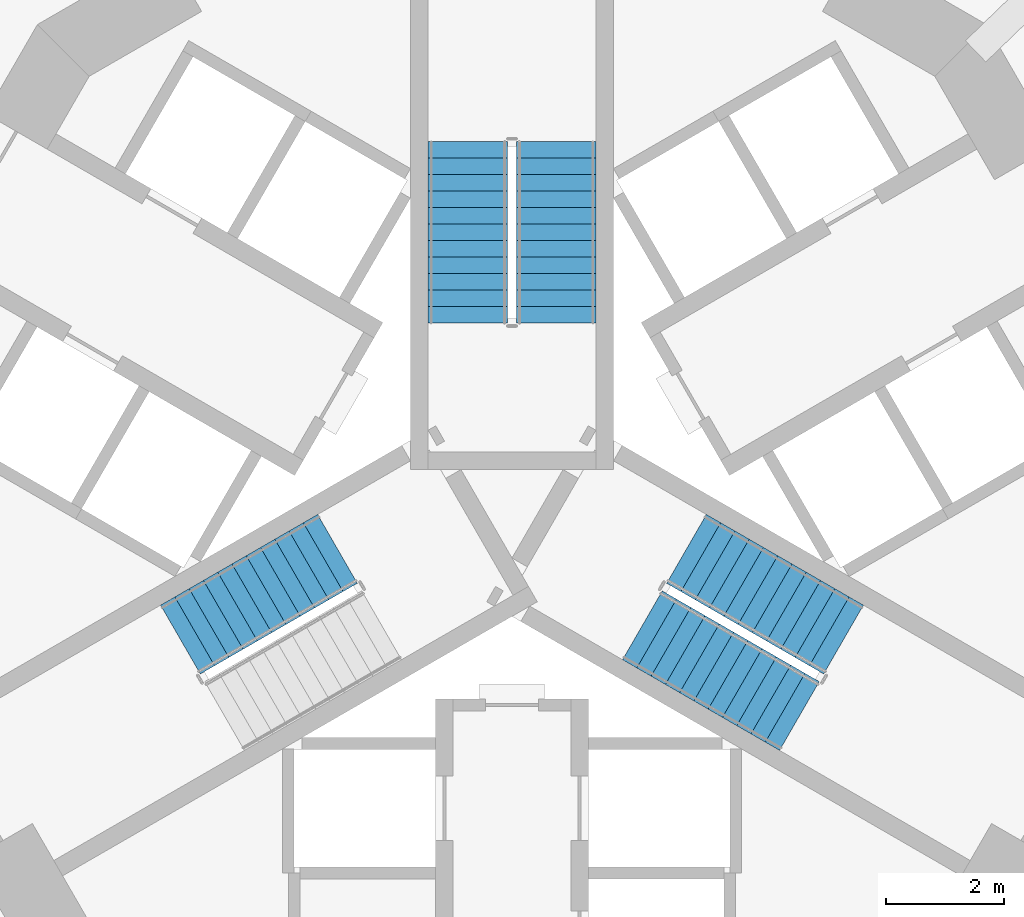
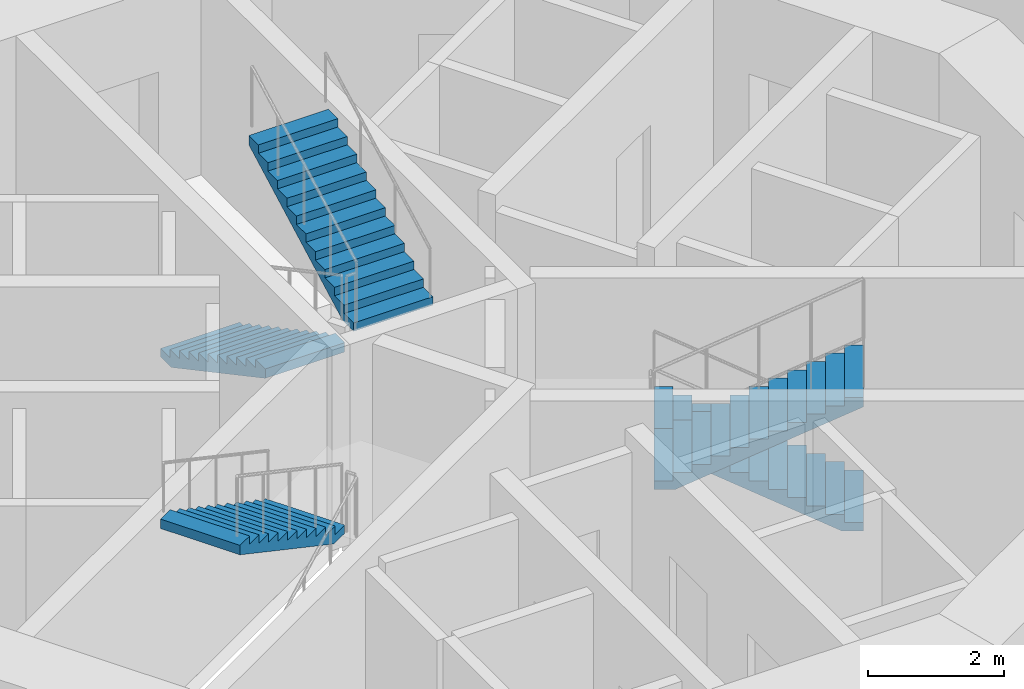
# One storey, part 11 of 19: 5 stair flights, 3 elements without a shape of their own.
"""IFC4 building model written with IfcOpenShell, lengths in metres."""

import ifcopenshell
import ifcopenshell.guid

model = None  # the IFC model being written
_history = None  # IfcOwnerHistory: only IFC2X3 demands one
_inside = {}  # id of a spatial element -> (the spatial element, [elements in it])
_under = {}  # id of a project, library or spatial element -> (it, [spatial elements below it])
_declared = {}  # id of a project -> (the project, [libraries it declares])
_typed = {}  # id of a type object -> (the type object, [elements of that type])
_made_of = {}  # id of a material, layer set ... -> (it, [elements and type objects made of it])


def new_model(schema):
    """Start an empty IFC model of exactly this schema.

    Asked for "IFC4X3", IfcOpenShell would pick the latest addendum, in which some entities
    have other attributes; the version numbers below select the first issue.
    IFC2X3 requires an IfcOwnerHistory on every rooted entity: one is made here for all.
    """
    global model, _history
    if schema == "IFC4X3":
        model = ifcopenshell.file(schema_version=(4, 3, 0, 0))
    else:
        model = ifcopenshell.file(schema=schema)
    _inside.clear()
    _under.clear()
    _declared.clear()
    _typed.clear()
    _made_of.clear()
    _history = None
    if model.schema == "IFC2X3":
        org = make("IfcOrganization", Name="unknown")
        user = make(
            "IfcPersonAndOrganization",
            ThePerson=make("IfcPerson", FamilyName="unknown"),
            TheOrganization=org,
        )
        app = make(
            "IfcApplication",
            ApplicationDeveloper=org,
            Version="unknown",
            ApplicationFullName="unknown",
            ApplicationIdentifier="unknown",
        )
        _history = make(
            "IfcOwnerHistory",
            OwningUser=user,
            OwningApplication=app,
            ChangeAction="ADDED",
            CreationDate=0,
        )
    return model


def make(cls, **values):
    """One entity of the class cls with the attributes given. An attribute that is None is left unset."""
    return model.create_entity(
        cls, **{name: value for name, value in values.items() if value is not None}
    )


def rooted(cls, **values):
    """An entity with a GlobalId (a new one), such as an element, a storey or a relation."""
    return make(cls, GlobalId=ifcopenshell.guid.new(), OwnerHistory=_history, **values)


def si_unit(unit_type, name, prefix=None):
    """IfcSIUnit, for example si_unit("LENGTHUNIT", "METRE", prefix="MILLI")."""
    return make("IfcSIUnit", UnitType=unit_type, Prefix=prefix, Name=name)


def assignment(units):
    """IfcUnitAssignment: the units of a project."""
    return None if units is None else make("IfcUnitAssignment", Units=units)


def point(xyz):
    """IfcCartesianPoint."""
    return None if xyz is None else make("IfcCartesianPoint", Coordinates=xyz)


def direction(xyz):
    """IfcDirection."""
    return None if xyz is None else make("IfcDirection", DirectionRatios=xyz)


def frame(location, z_axis=None, x_axis=None):
    """IfcAxis2Placement3D, a coordinate frame: its origin and axes. An axis left out is left unset."""
    return make(
        "IfcAxis2Placement3D",
        Location=point(location),
        Axis=direction(z_axis),
        RefDirection=direction(x_axis),
    )


def origin():
    """The frame at (0, 0, 0) with its axes left unset."""
    return frame((0.0, 0.0, 0.0))


def place(relative_to, where):
    """IfcLocalPlacement: puts the frame where relative to a parent placement (None: the world)."""
    return make(
        "IfcLocalPlacement", PlacementRelTo=relative_to, RelativePlacement=where
    )


def context(
    kind, dimensions, precision=None, world=None, true_north=None, identifier=None
):
    """IfcGeometricRepresentationContext, for example the 3D "Model" context."""
    return make(
        "IfcGeometricRepresentationContext",
        ContextIdentifier=identifier,
        ContextType=kind,
        CoordinateSpaceDimension=dimensions,
        Precision=precision,
        WorldCoordinateSystem=world,
        TrueNorth=true_north,
    )


def subcontext(parent, identifier, kind, view, scale=None):
    """IfcGeometricRepresentationSubContext, for example "Body" below "Model"."""
    return make(
        "IfcGeometricRepresentationSubContext",
        ContextIdentifier=identifier,
        ContextType=kind,
        ParentContext=parent,
        TargetScale=scale,
        TargetView=view,
    )


def project(units=None, contexts=None):
    """IfcProject with its units and contexts."""
    return rooted(
        "IfcProject",
        Name="project",
        RepresentationContexts=contexts,
        UnitsInContext=assignment(units),
    )


def spatial(cls, under=None, at=None, **own):
    """A site, building, storey or space (cls), placed at a placement, below another one or the project."""
    s = rooted(cls, ObjectPlacement=at, **own)
    if under is not None:
        _under.setdefault(under.id(), (under, []))[1].append(s)
    return s


def polyline(points):
    """IfcPolyline through the points."""
    return make("IfcPolyline", Points=[point(p) for p in points])


def outline(outer, holes=None, kind="AREA"):
    """IfcArbitraryClosedProfileDef: a profile drawn as a closed curve; with holes, ...WithVoids."""
    if holes is None:
        return make("IfcArbitraryClosedProfileDef", ProfileType=kind, OuterCurve=outer)
    return make(
        "IfcArbitraryProfileDefWithVoids",
        ProfileType=kind,
        OuterCurve=outer,
        InnerCurves=holes,
    )


def extrude(swept, where, along, depth):
    """IfcExtrudedAreaSolid: the profile swept, set in the frame where, extruded along a direction by depth."""
    return make(
        "IfcExtrudedAreaSolid",
        SweptArea=swept,
        Position=where,
        ExtrudedDirection=direction(along),
        Depth=depth,
    )


def shape(context_of_items, identifier, shape_type, items):
    """IfcShapeRepresentation: the items that make up one representation, for example the "Body"."""
    return make(
        "IfcShapeRepresentation",
        ContextOfItems=context_of_items,
        RepresentationIdentifier=identifier,
        RepresentationType=shape_type,
        Items=items,
    )


def material(Name=None, Category=None):
    """IfcMaterial."""
    return make("IfcMaterial", Name=Name, Category=Category)


def made_of(thing, what):
    """Note that an element or type object is made of a material, layer set ...; save() writes the relation."""
    if what is not None:
        _made_of.setdefault(what.id(), (what, []))[1].append(thing)
    return thing


def type_object(cls, material=None, **own):
    """A type object (cls), such as IfcWallType, which elements share."""
    return made_of(rooted(cls, **own), material)


def element(
    cls,
    number,
    at=None,
    inside=None,
    cuts=None,
    type_object=None,
    material=None,
    context=None,
    identifier="Body",
    shape_type=None,
    held_by="IfcProductDefinitionShape",
    body=None,
    shapes=None,
    **own,
):
    """One element of the class cls, such as IfcWall. Its Tag is "e" and its number.

    at: its placement. inside: the storey or other place that contains it. cuts: it is an
    opening in that element (IfcRelVoidsElement). A single representation is given by context,
    identifier, shape_type and body (its items); several are given by shapes. held_by: the class
    of the entity that holds the representations. save() writes the other relations.
    """
    e = rooted(cls, Tag="e%d" % number, ObjectPlacement=at, **own)
    if body is not None:
        shapes = [shape(context, identifier, shape_type, body)]
    if shapes is not None:
        e.Representation = make(held_by, Representations=shapes)
    if inside is not None:
        _inside.setdefault(inside.id(), (inside, []))[1].append(e)
    if cuts is not None:
        rooted(
            "IfcRelVoidsElement", RelatingBuildingElement=cuts, RelatedOpeningElement=e
        )
    if type_object is not None:
        _typed.setdefault(type_object.id(), (type_object, []))[1].append(e)
    return made_of(e, material)


def aggregate(whole, parts):
    """IfcRelAggregates: a whole, such as a stair, and the parts it consists of."""
    return rooted("IfcRelAggregates", RelatingObject=whole, RelatedObjects=parts)


def save(model, path):
    """Write the relations noted so far, then the file.

    IfcRelAggregates (storeys below a building ...), IfcRelContainedInSpatialStructure (elements
    in a storey), IfcRelDefinesByType, IfcRelAssociatesMaterial and IfcRelDeclares: one each for
    every whole, place, type object, material and project.
    """
    for whole, parts in _under.values():
        aggregate(whole, parts)
    for where, things in _inside.values():
        rooted(
            "IfcRelContainedInSpatialStructure",
            RelatedElements=things,
            RelatingStructure=where,
        )
    for kind, things in _typed.values():
        rooted("IfcRelDefinesByType", RelatedObjects=things, RelatingType=kind)
    for what, things in _made_of.values():
        rooted("IfcRelAssociatesMaterial", RelatedObjects=things, RelatingMaterial=what)
    for by, libraries in _declared.values():
        rooted("IfcRelDeclares", RelatingContext=by, RelatedDefinitions=libraries)
    model.write(path)


model = new_model("IFC4")

# Units and contexts
model_context = context("Model", 3, precision=1e-05, world=origin(), true_north=direction((0.0, 1.0)))
body_context = subcontext(model_context, "Body", "Model", "MODEL_VIEW")
ifc_project = project(units=[si_unit("LENGTHUNIT", "METRE"), si_unit("AREAUNIT", "SQUARE_METRE"), si_unit("VOLUMEUNIT", "CUBIC_METRE"), si_unit("PLANEANGLEUNIT", "RADIAN"), si_unit("MASSUNIT", "GRAM", prefix="KILO")], contexts=[model_context])

# Site, building, storey
site_placement = place(None, origin())
site = spatial("IfcSite", under=ifc_project, at=site_placement, CompositionType="ELEMENT")
building_placement = place(site_placement, origin())
building = spatial("IfcBuilding", under=site, at=building_placement, Name="Trine Commons Tower", CompositionType="ELEMENT")
storey_placement = place(building_placement, frame((0.0, 0.0, 105.300048828125)))
storey = spatial("IfcBuildingStorey", under=building, at=storey_placement, Name="L26", CompositionType="ELEMENT", Elevation=105.300048828125)

# Stair, stair flights
ifc_material = material(Name="Concrete C50/60", Category="concrete")
stair_type = type_object("IfcStairType", Name="Exit stair, dog-leg, 24 risers of 150 mm", PredefinedType="HALF_TURN_STAIR", material=ifc_material)
stair_1_placement = place(storey_placement, origin())
stair_1 = element("IfcStair", 1, at=stair_1_placement, inside=storey, type_object=stair_type, Name="L26 Exit stair ST1A", PredefinedType="HALF_TURN_STAIR")
stair_flight_type = type_object("IfcStairFlightType", Name="Stair flight, 1350 wide, 12 risers of 150 mm", PredefinedType="STRAIGHT", material=ifc_material)
stair_flight_1_placement = place(storey_placement, frame((79.25, 68.570556640625, 0.0), z_axis=(0.0, 0.0, 1.0), x_axis=(0.0, -1.0, 0.0)))
stair_flight_1 = element("IfcStairFlight", 2, at=stair_flight_1_placement, type_object=stair_flight_type, Name="ST1A flight 1", NumberOfRisers=12, NumberOfTreads=11, PredefinedType="STRAIGHT", RiserHeight=0.15, TreadLength=0.28, context=body_context, shape_type="SweptSolid", body=[
    extrude(outline(polyline([(0.0, 0.0), (0.0, 0.14990234375), (0.280029296875, 0.14990234375), (0.280029296875, 0.300048828125), (0.56005859375, 0.300048828125), (0.56005859375, 0.449951171875), (0.840087890625, 0.449951171875), (0.840087890625, 0.60009765625), (1.1201171875, 0.60009765625), (1.1201171875, 0.75), (1.39990234375, 0.75), (1.39990234375, 0.89990234375), (1.679931640625, 0.89990234375), (1.679931640625, 1.050048828125), (1.9599609375, 1.050048828125), (1.9599609375, 1.199951171875), (2.239990234375, 1.199951171875), (2.239990234375, 1.35009765625), (2.52001953125, 1.35009765625), (2.52001953125, 1.5), (2.800048828125, 1.5), (2.800048828125, 1.64990234375), (3.080078125, 1.64990234375), (3.080078125, 1.800048828125), (3.080078125, 1.47998046875), (0.3173828125, 0.0), (0.0, 0.0)])), frame((0.0, 0.675048828125, 0.0), z_axis=(0.0, -1.0, 0.0), x_axis=(1.0, 0.0, 0.0)), (0.0, 0.0, 1.0), 1.35009765625),
])
stair_flight_2_placement = place(storey_placement, frame((80.75, 65.490478515625, 1.800048828125), z_axis=(0.0, 0.0, 1.0), x_axis=(0.0, 1.0, 0.0)))
stair_flight_2 = element("IfcStairFlight", 3, at=stair_flight_2_placement, type_object=stair_flight_type, Name="ST1A flight 2", NumberOfRisers=12, NumberOfTreads=11, PredefinedType="STRAIGHT", RiserHeight=0.15, TreadLength=0.28, context=body_context, shape_type="SweptSolid", body=[
    extrude(outline(polyline([(0.0, 0.0), (0.0, 0.14990234375), (0.280029296875, 0.14990234375), (0.280029296875, 0.300048828125), (0.56005859375, 0.300048828125), (0.56005859375, 0.449951171875), (0.840087890625, 0.449951171875), (0.840087890625, 0.60009765625), (1.1201171875, 0.60009765625), (1.1201171875, 0.75), (1.39990234375, 0.75), (1.39990234375, 0.89990234375), (1.679931640625, 0.89990234375), (1.679931640625, 1.050048828125), (1.9599609375, 1.050048828125), (1.9599609375, 1.199951171875), (2.239990234375, 1.199951171875), (2.239990234375, 1.35009765625), (2.52001953125, 1.35009765625), (2.52001953125, 1.5), (2.800048828125, 1.5), (2.800048828125, 1.64990234375), (3.080078125, 1.64990234375), (3.080078125, 1.800048828125), (3.080078125, 1.47998046875), (0.3173828125, 0.0), (0.0, 0.0)])), frame((0.0, 0.675048828125, 0.0), z_axis=(0.0, -1.0, 0.0), x_axis=(1.0, 0.0, 0.0)), (0.0, 0.0, 1.0), 1.35009765625),
])
aggregate(stair_1, [stair_flight_1, stair_flight_2])

# Stair, stair flight
stair_2_placement = place(storey_placement, origin())
stair_2 = element("IfcStair", 4, at=stair_2_placement, inside=storey, type_object=stair_type, Name="L26 Exit stair ST2A", PredefinedType="HALF_TURN_STAIR")
stair_flight_3_placement = place(storey_placement, frame((77.03515625, 61.654296875, 1.800048828125), z_axis=(0.0, 0.0, 1.0), x_axis=(-0.866025403784, -0.5, 0.0)))
stair_flight_3 = element("IfcStairFlight", 5, at=stair_flight_3_placement, type_object=stair_flight_type, Name="ST2A flight 2", NumberOfRisers=12, NumberOfTreads=11, PredefinedType="STRAIGHT", RiserHeight=0.15, TreadLength=0.28, context=body_context, shape_type="SweptSolid", body=[
    extrude(outline(polyline([(0.0, 0.0), (0.0, 0.14990234375), (0.280029296875, 0.14990234375), (0.280029296875, 0.300048828125), (0.56005859375, 0.300048828125), (0.56005859375, 0.449951171875), (0.840087890625, 0.449951171875), (0.840087890625, 0.60009765625), (1.1201171875, 0.60009765625), (1.1201171875, 0.75), (1.39990234375, 0.75), (1.39990234375, 0.89990234375), (1.679931640625, 0.89990234375), (1.679931640625, 1.050048828125), (1.9599609375, 1.050048828125), (1.9599609375, 1.199951171875), (2.239990234375, 1.199951171875), (2.239990234375, 1.35009765625), (2.52001953125, 1.35009765625), (2.52001953125, 1.5), (2.800048828125, 1.5), (2.800048828125, 1.64990234375), (3.080078125, 1.64990234375), (3.080078125, 1.800048828125), (3.080078125, 1.47998046875), (0.3173828125, 0.0), (0.0, 0.0)])), frame((0.0, 0.675048828125, 0.0), z_axis=(0.0, -1.0, 0.0), x_axis=(1.0, 0.0, 0.0)), (0.0, 0.0, 1.0), 1.35009765625),
])
aggregate(stair_2, [stair_flight_3])

# Stair, stair flights
stair_3_placement = place(storey_placement, origin())
stair_3 = element("IfcStair", 6, at=stair_3_placement, inside=storey, type_object=stair_type, Name="L26 Exit stair ST3A", PredefinedType="HALF_TURN_STAIR")
stair_flight_4_placement = place(storey_placement, frame((85.63232421875, 60.1142578125, 0.0), z_axis=(0.0, 0.0, 1.0), x_axis=(-0.866025403784, 0.5, 0.0)))
stair_flight_4 = element("IfcStairFlight", 7, at=stair_flight_4_placement, type_object=stair_flight_type, Name="ST3A flight 1", NumberOfRisers=12, NumberOfTreads=11, PredefinedType="STRAIGHT", RiserHeight=0.15, TreadLength=0.28, context=body_context, shape_type="SweptSolid", body=[
    extrude(outline(polyline([(0.0, 0.0), (0.0, 0.14990234375), (0.280029296875, 0.14990234375), (0.280029296875, 0.300048828125), (0.56005859375, 0.300048828125), (0.56005859375, 0.449951171875), (0.840087890625, 0.449951171875), (0.840087890625, 0.60009765625), (1.1201171875, 0.60009765625), (1.1201171875, 0.75), (1.39990234375, 0.75), (1.39990234375, 0.89990234375), (1.679931640625, 0.89990234375), (1.679931640625, 1.050048828125), (1.9599609375, 1.050048828125), (1.9599609375, 1.199951171875), (2.239990234375, 1.199951171875), (2.239990234375, 1.35009765625), (2.52001953125, 1.35009765625), (2.52001953125, 1.5), (2.800048828125, 1.5), (2.800048828125, 1.64990234375), (3.080078125, 1.64990234375), (3.080078125, 1.800048828125), (3.080078125, 1.47998046875), (0.3173828125, 0.0), (0.0, 0.0)])), frame((0.0, 0.675048828125, 0.0), z_axis=(0.0, -1.0, 0.0), x_axis=(1.0, 0.0, 0.0)), (0.0, 0.0, 1.0), 1.35009765625),
])
stair_flight_5_placement = place(storey_placement, frame((82.21484375, 60.355224609375, 1.800048828125), z_axis=(0.0, 0.0, 1.0), x_axis=(0.866025403784, -0.5, 0.0)))
stair_flight_5 = element("IfcStairFlight", 8, at=stair_flight_5_placement, type_object=stair_flight_type, Name="ST3A flight 2", NumberOfRisers=12, NumberOfTreads=11, PredefinedType="STRAIGHT", RiserHeight=0.15, TreadLength=0.28, context=body_context, shape_type="SweptSolid", body=[
    extrude(outline(polyline([(0.0, 0.0), (0.0, 0.14990234375), (0.280029296875, 0.14990234375), (0.280029296875, 0.300048828125), (0.56005859375, 0.300048828125), (0.56005859375, 0.449951171875), (0.840087890625, 0.449951171875), (0.840087890625, 0.60009765625), (1.1201171875, 0.60009765625), (1.1201171875, 0.75), (1.39990234375, 0.75), (1.39990234375, 0.89990234375), (1.679931640625, 0.89990234375), (1.679931640625, 1.050048828125), (1.9599609375, 1.050048828125), (1.9599609375, 1.199951171875), (2.239990234375, 1.199951171875), (2.239990234375, 1.35009765625), (2.52001953125, 1.35009765625), (2.52001953125, 1.5), (2.800048828125, 1.5), (2.800048828125, 1.64990234375), (3.080078125, 1.64990234375), (3.080078125, 1.800048828125), (3.080078125, 1.47998046875), (0.3173828125, 0.0), (0.0, 0.0)])), frame((0.0, 0.675048828125, 0.0), z_axis=(0.0, -1.0, 0.0), x_axis=(1.0, 0.0, 0.0)), (0.0, 0.0, 1.0), 1.35009765625),
])
aggregate(stair_3, [stair_flight_4, stair_flight_5])

save(model, "model.ifc")
